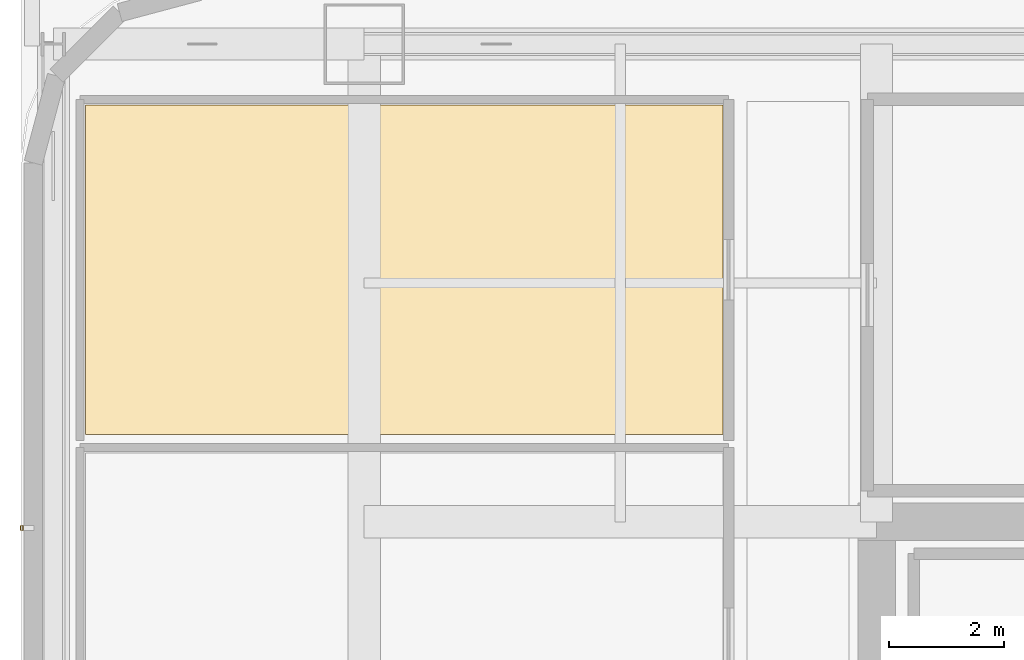
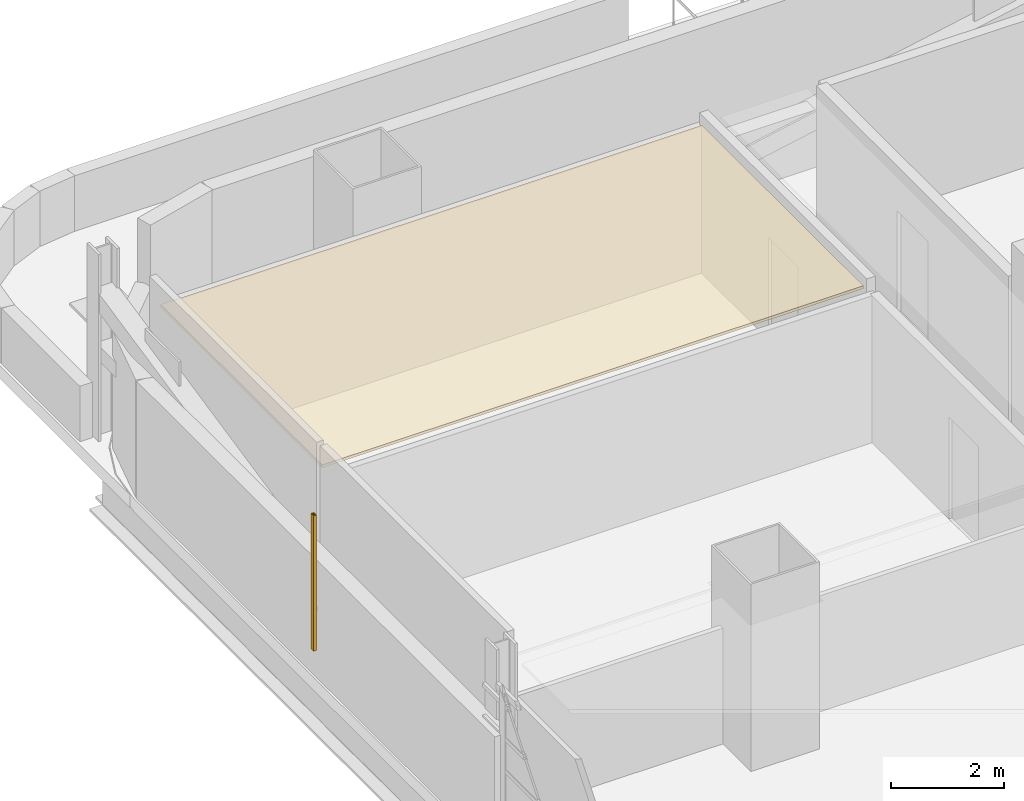
# One storey, part 27 of 29: 1 covering, 1 shading device.
"""IFC4 building model written with IfcOpenShell, lengths in metres."""

from ifc_helpers import new_model, si_unit, direction, frame, origin, origin_2d, place, context, subcontext, project, spatial, polyline, hollow_rectangle, outline, extrude, material, layer, layer_set, material_profile, profile_set, type_object, element, save


model = new_model("IFC4")

# Units and contexts
model_context = context("Model", 3, precision=1e-05, world=origin(), true_north=direction((0.0, 1.0)))
body_context = subcontext(model_context, "Body", "Model", "MODEL_VIEW")
ifc_project = project(units=[si_unit("LENGTHUNIT", "METRE"), si_unit("AREAUNIT", "SQUARE_METRE"), si_unit("VOLUMEUNIT", "CUBIC_METRE"), si_unit("PLANEANGLEUNIT", "RADIAN"), si_unit("MASSUNIT", "GRAM", prefix="KILO")], contexts=[model_context])

# Site, building, storey
site_placement = place(None, origin())
site = spatial("IfcSite", under=ifc_project, at=site_placement, CompositionType="ELEMENT")
building_placement = place(site_placement, origin())
building = spatial("IfcBuilding", under=site, at=building_placement, Name="Punatoya Terracotta Tower", CompositionType="ELEMENT")
storey_placement = place(building_placement, frame((0.0, 0.0, 172.199951171875)))
storey = spatial("IfcBuildingStorey", under=building, at=storey_placement, Name="L40", CompositionType="ELEMENT", Elevation=172.199951171875)

# Covering
ifc_material_1 = material(Name="Acoustic Mineral Fibre Ceiling")
ifc_layer = layer(ifc_material_1, 0.06005859375)
ifc_layer_set = layer_set([ifc_layer], Name="Acoustic Mineral Fibre Ceiling")
covering_type = type_object("IfcCoveringType", Name="COV-CEIL-60", PredefinedType="CEILING", material=ifc_layer_set)
covering_placement = place(storey_placement, frame((0.0, 0.0, 3.16015625)))
element("IfcCovering", 1, at=covering_placement, inside=storey, type_object=covering_type, Name="L40 Client Briefing Office Acoustic Ceiling", PredefinedType="CEILING", context=body_context, shape_type="SweptSolid", body=[
    extrude(outline(polyline([(-23.93994140625, 16.43994140625), (-23.93994140625, 10.714111328125), (-12.8701171875, 10.714111328125), (-12.8701171875, 16.43994140625), (-23.93994140625, 16.43994140625)])), origin(), (0.0, 0.0, 1.0), 0.059814453125),
])

# Shading device
ifc_material_2 = material(Name="Architectural Fired Terracotta", Category="masonry")
ifc_material_profile = material_profile(ifc_material_2, hollow_rectangle(XDim=0.06005859375, YDim=0.090087890625, WallThickness=0.013916015625, at=origin_2d()))
ifc_profile_set = profile_set([ifc_material_profile], Name="Architectural Fired Terracotta")
shading_device_type = type_object("IfcShadingDeviceType", Name="SHD-JALI-90", PredefinedType="JALOUSIE", material=ifc_profile_set)
shading_device_placement = place(storey_placement, frame((-25.050048828125, 9.093505859375, 0.60009765625), z_axis=(0.0, 0.0, 1.0), x_axis=(1.0, 0.0, 0.0)))
element("IfcShadingDevice", 2, at=shading_device_placement, inside=storey, type_object=shading_device_type, Name="L40 Braced Bay Terracotta Jali Fin W1", PredefinedType="JALOUSIE", context=body_context, shape_type="SweptSolid", body=[
    extrude(hollow_rectangle(XDim=0.06005859375, YDim=0.090087890625, WallThickness=0.013916015625, at=origin_2d()), origin(), (0.0, 0.0, 1.0), 2.929931640625),
])

save(model, "model.ifc")
